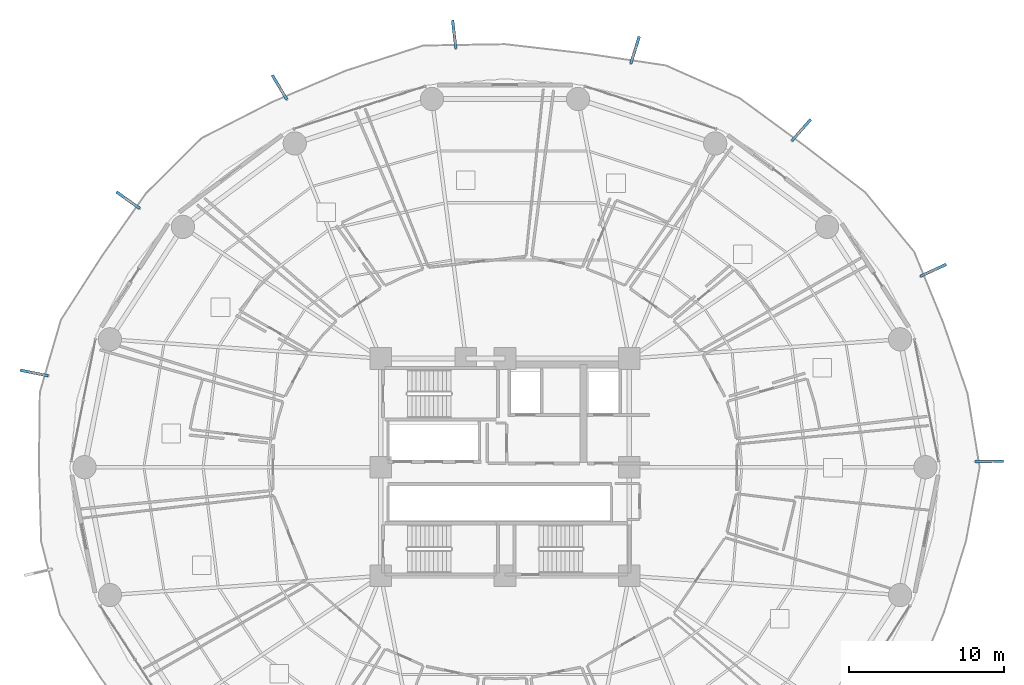
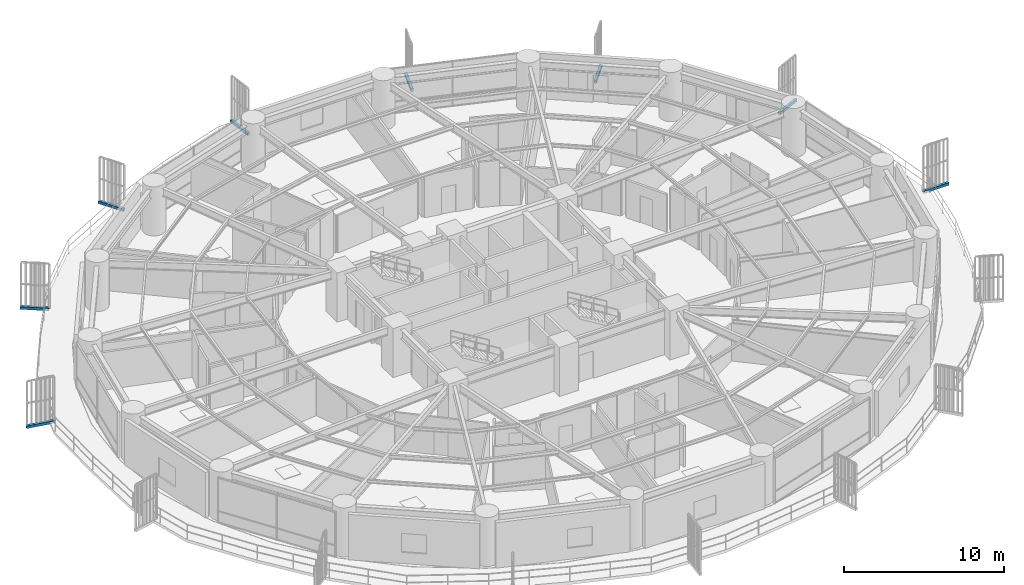
# One storey, part 27 of 32: 8 discrete accessories.
"""IFC4 building model written with IfcOpenShell, lengths in metres."""

from ifc_helpers import new_model, si_unit, direction, frame, origin, origin_2d, place, context, subcontext, project, spatial, rectangle, extrude, source, transform, mapped, material, type_object, element, save


model = new_model("IFC4")

# Units and contexts
model_context = context("Model", 3, precision=1e-05, world=origin(), true_north=direction((0.0, 1.0)))
body_context = subcontext(model_context, "Body", "Model", "MODEL_VIEW")
ifc_project = project(units=[si_unit("LENGTHUNIT", "METRE"), si_unit("AREAUNIT", "SQUARE_METRE"), si_unit("VOLUMEUNIT", "CUBIC_METRE"), si_unit("PLANEANGLEUNIT", "RADIAN"), si_unit("MASSUNIT", "GRAM", prefix="KILO")], contexts=[model_context])

# Site, building, storey
site_placement = place(None, origin())
site = spatial("IfcSite", under=ifc_project, at=site_placement, CompositionType="ELEMENT")
building_placement = place(site_placement, origin())
building = spatial("IfcBuilding", under=site, at=building_placement, Name="Kelanora Arch Commons", CompositionType="ELEMENT")
storey_placement = place(building_placement, frame((0.0, 0.0, 48.75)))
storey = spatial("IfcBuildingStorey", under=building, at=storey_placement, Name="L12", CompositionType="ELEMENT", Elevation=48.75)

# Discrete accessories
ifc_material = material(Name="Stainless steel 316 marine fin bracket", Category="steel")
discrete_accessory_type = type_object("IfcDiscreteAccessoryType", Name="ACC-FIN-BRK", PredefinedType="BRACKET", material=ifc_material)
shared_shape = source(origin(), body_context, "Body", "SweptSolid", [
    extrude(rectangle(XDim=1.827392578125, YDim=0.179931640625, at=origin_2d()), origin(), (0.0, 0.0, 1.0), 0.199951171875),
])
for number, where, z_axis, x_axis, name in (
    (1, (101.589599609375, 70.68212890625, -0.16015625), (0.0, 0.0, 1.0), (0.908581095252, 0.417708502848, 0.0), "Sweeping Fin Cantilever Spine Bracket L12-00"),
    (2, (93.083984375, 79.713134765625, -0.16015625), (0.0, 0.0, 1.0), (0.660132778235, 0.75114893004, 0.0), "Sweeping Fin Cantilever Spine Bracket L12-01"),
    (3, (82.375244140625, 84.86865234375, -0.16015625), (0.0, 0.0, 1.0), (0.297541506743, 0.954708883255, 0.0), "Sweeping Fin Cantilever Spine Bracket L12-02"),
    (4, (70.730712890625, 85.88525390625, -0.16015625), (0.0, 0.0, 1.0), (-0.116497394345, 0.993190997297, 0.0), "Sweeping Fin Cantilever Spine Bracket L12-03"),
    (5, (59.477783203125, 82.470947265625, -0.16015625), (0.0, 0.0, 1.0), (-0.510392837604, 0.859941365049, 0.0), "Sweeping Fin Cantilever Spine Bracket L12-04"),
    (6, (49.718994140625, 75.2001953125, -0.16015625), (0.0, 0.0, 1.0), (-0.816036722469, 0.578000058462, 0.0), "Sweeping Fin Cantilever Spine Bracket L12-05"),
    (7, (43.678955078125, 64.06591796875, -0.16015625), (0.0, 0.0, 1.0), (-0.980580444557, 0.196117290802, 0.0), "Sweeping Fin Cantilever Spine Bracket L12-06"),
    (8, (105.206298828125, 58.374267578125, -0.16015625), (0.0, 0.0, 1.0), (0.9999274867, 0.01204248075, 0.0), "Sweeping Fin Cantilever Spine Bracket L12-14"),
):
    element("IfcDiscreteAccessory", number, at=place(storey_placement, frame(where, z_axis=z_axis, x_axis=x_axis)), inside=storey, type_object=discrete_accessory_type, Name=name, PredefinedType="BRACKET", context=body_context, shape_type="MappedRepresentation", body=[
        mapped(shared_shape, transform((0.0, 0.0, 0.0), scale=1.0)),
    ])

save(model, "model.ifc")
